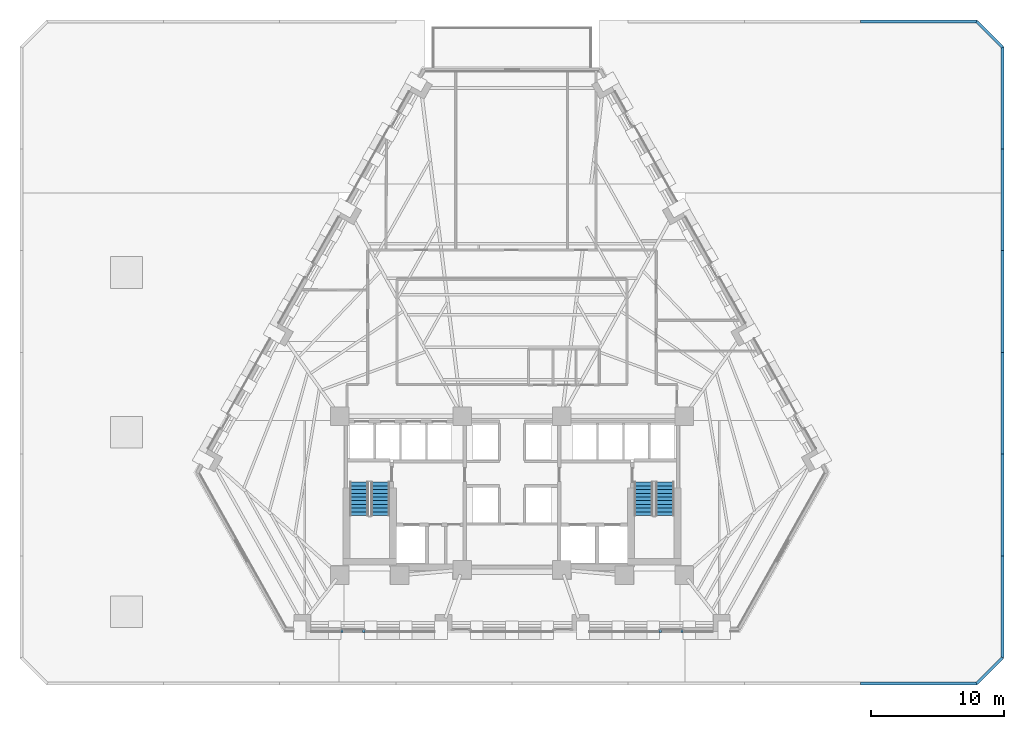
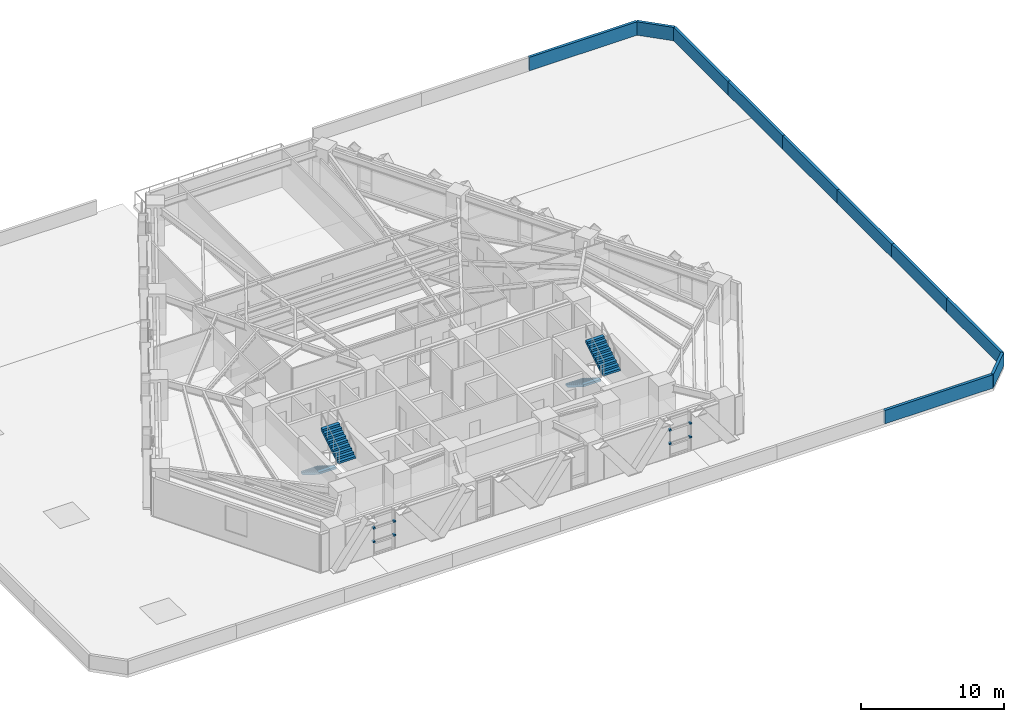
# One storey, part 11 of 14: 10 walls, 8 discrete accessories, 4 stair flights, 2 elements without a shape of their own.
"""IFC4 building model written with IfcOpenShell, lengths in metres."""

from ifc_helpers import new_model, si_unit, direction, frame, frame_2d, origin, origin_2d, place, context, subcontext, project, spatial, polyline, rectangle, outline, extrude, material, layer, layer_set, type_object, element, aggregate, save


model = new_model("IFC4")

# Units and contexts
model_context = context("Model", 3, precision=1e-05, world=origin(), true_north=direction((0.0, 1.0)))
body_context = subcontext(model_context, "Body", "Model", "MODEL_VIEW")
ifc_project = project(units=[si_unit("LENGTHUNIT", "METRE"), si_unit("AREAUNIT", "SQUARE_METRE"), si_unit("VOLUMEUNIT", "CUBIC_METRE"), si_unit("PLANEANGLEUNIT", "RADIAN"), si_unit("MASSUNIT", "GRAM", prefix="KILO")], contexts=[model_context])

# Site, building, storey
site_placement = place(None, origin())
site = spatial("IfcSite", under=ifc_project, at=site_placement, CompositionType="ELEMENT")
building_placement = place(site_placement, origin())
building = spatial("IfcBuilding", under=site, at=building_placement, Name="Quenlor Broadcast Tower", CompositionType="ELEMENT")
storey_placement = place(building_placement, frame((0.0, 0.0, 27.60009765625)))
storey = spatial("IfcBuildingStorey", under=building, at=storey_placement, Name="L06", CompositionType="ELEMENT", Elevation=27.60009765625)

# Walls
ifc_material_1 = material(Name="Precast concrete C40/50", Category="concrete")
ifc_layer_1 = layer(ifc_material_1, 0.219970703125)
ifc_layer_set_1 = layer_set([ifc_layer_1], Name="Podium Roof Precast Concrete C40/50 Parapet Wall 220")
wall_type = type_object("IfcWallType", Name="Podium Roof Precast Concrete C40/50 Parapet Wall 220", PredefinedType="PARAPET", material=ifc_layer_set_1)
wall_1_placement = place(storey_placement, frame((26.2158203125, 24.889892578125, 0.0), z_axis=(0.0, 0.0, 1.0), x_axis=(1.0, 0.0, 0.0)))
element("IfcWall", 1, at=wall_1_placement, inside=storey, type_object=wall_type, Name="L06 Roof Parapet 14", PredefinedType="PARAPET", context=body_context, shape_type="SweptSolid", body=[
    extrude(rectangle(XDim=8.738525390625, YDim=0.219970703125, at=frame_2d((4.369140625, 0.0))), origin(), (0.0, 0.0, 1.0), 1.14990234375),
])
wall_2_placement = place(storey_placement, frame((34.954345703125, 24.889892578125, 0.0), z_axis=(0.0, 0.0, 1.0), x_axis=(0.707106781187, -0.707106781187, 0.0)))
element("IfcWall", 2, at=wall_2_placement, inside=storey, type_object=wall_type, Name="L06 Roof Parapet 15", PredefinedType="PARAPET", context=body_context, shape_type="SweptSolid", body=[
    extrude(rectangle(XDim=2.7373046875, YDim=0.219970703125, at=frame_2d((1.36865234375, 0.0))), origin(), (0.0, 0.0, 1.0), 1.14990234375),
])
for number, where, z_axis, x_axis, name in (
    (3, (36.889892578125, 22.954345703125, 0.0), (0.0, 0.0, 1.0), (0.0, -1.0, 0.0), "L06 Roof Parapet 16"),
    (4, (36.889892578125, 15.302978515625, 0.0), (0.0, 0.0, 1.0), (0.0, -1.0, 0.0), "L06 Roof Parapet 17"),
):
    element("IfcWall", number, at=place(storey_placement, frame(where, z_axis=z_axis, x_axis=x_axis)), inside=storey, type_object=wall_type, Name=name, PredefinedType="PARAPET", context=body_context, shape_type="SweptSolid", body=[
        extrude(rectangle(XDim=7.6513671875, YDim=0.219970703125, at=frame_2d((3.82568359375, 0.0))), origin(), (0.0, 0.0, 1.0), 1.14990234375),
    ])
for number, where, z_axis, x_axis, name in (
    (5, (36.889892578125, 7.651611328125, 0.0), (0.0, 0.0, 1.0), (0.0, -1.0, 0.0), "L06 Roof Parapet 18"),
    (6, (36.889892578125, 0.0, 0.0), (0.0, 0.0, 1.0), (0.0, -1.0, 0.0), "L06 Roof Parapet 19"),
):
    element("IfcWall", number, at=place(storey_placement, frame(where, z_axis=z_axis, x_axis=x_axis)), inside=storey, type_object=wall_type, Name=name, PredefinedType="PARAPET", context=body_context, shape_type="SweptSolid", body=[
        extrude(rectangle(XDim=7.651611328125, YDim=0.219970703125, at=frame_2d((3.82568359375, 0.0))), origin(), (0.0, 0.0, 1.0), 1.14990234375),
    ])
for number, where, z_axis, x_axis, name in (
    (7, (36.889892578125, -7.651611328125, 0.0), (0.0, 0.0, 1.0), (0.0, -1.0, 0.0), "L06 Roof Parapet 20"),
    (8, (36.889892578125, -15.302978515625, 0.0), (0.0, 0.0, 1.0), (0.0, -1.0, 0.0), "L06 Roof Parapet 21"),
):
    element("IfcWall", number, at=place(storey_placement, frame(where, z_axis=z_axis, x_axis=x_axis)), inside=storey, type_object=wall_type, Name=name, PredefinedType="PARAPET", context=body_context, shape_type="SweptSolid", body=[
        extrude(rectangle(XDim=7.6513671875, YDim=0.219970703125, at=frame_2d((3.82568359375, 0.0))), origin(), (0.0, 0.0, 1.0), 1.14990234375),
    ])
wall_3_placement = place(storey_placement, frame((36.889892578125, -22.954345703125, 0.0), z_axis=(0.0, 0.0, 1.0), x_axis=(-0.707106781187, -0.707106781187, 0.0)))
element("IfcWall", 9, at=wall_3_placement, inside=storey, type_object=wall_type, Name="L06 Roof Parapet 22", PredefinedType="PARAPET", context=body_context, shape_type="SweptSolid", body=[
    extrude(rectangle(XDim=2.7373046875, YDim=0.219970703125, at=frame_2d((1.36865234375, 0.0))), origin(), (0.0, 0.0, 1.0), 1.14990234375),
])
wall_4_placement = place(storey_placement, frame((34.954345703125, -24.889892578125, 0.0), z_axis=(0.0, 0.0, 1.0), x_axis=(-1.0, 0.0, 0.0)))
element("IfcWall", 10, at=wall_4_placement, inside=storey, type_object=wall_type, Name="L06 Roof Parapet 23", PredefinedType="PARAPET", context=body_context, shape_type="SweptSolid", body=[
    extrude(rectangle(XDim=8.738525390625, YDim=0.219970703125, at=frame_2d((4.369140625, 0.0))), origin(), (0.0, 0.0, 1.0), 1.14990234375),
])

# Stair, stair flights
ifc_material_2 = material(Name="Precast concrete C40/50", Category="concrete")
stair_type = type_object("IfcStairType", Name="Precast Concrete C40/50 Dogleg Stair H350", PredefinedType="HALF_TURN_STAIR", material=ifc_material_2)
stair_1_placement = place(storey_placement, origin())
stair_1 = element("IfcStair", 11, at=stair_1_placement, inside=storey, type_object=stair_type, Name="L06 West Core Fire-Isolated Exit Stair ST-1", PredefinedType="HALF_TURN_STAIR")
ifc_material_3 = material(Name="Precast concrete C40/50", Category="concrete")
ifc_layer_2 = layer(ifc_material_3, 0.159912109375)
ifc_layer_set_2 = layer_set([ifc_layer_2], Name="Precast Concrete C40/50 Stair Flight H350")
stair_flight_type = type_object("IfcStairFlightType", Name="Precast Concrete C40/50 Stair Flight H350", PredefinedType="STRAIGHT", material=ifc_layer_set_2)
stair_flight_1_placement = place(storey_placement, frame((-11.5, -9.75, 0.0), z_axis=(0.0, 0.0, 1.0), x_axis=(0.0, -1.0, 0.0)))
stair_flight_1 = element("IfcStairFlight", 12, at=stair_flight_1_placement, type_object=stair_flight_type, Name="ST-1 flight 1", NumberOfRisers=10, NumberOfTreads=9, PredefinedType="STRAIGHT", RiserHeight=0.175, TreadLength=0.28, context=body_context, shape_type="SweptSolid", body=[
    extrude(outline(polyline([(0.0, 0.0), (0.0, 0.175048828125), (0.280029296875, 0.175048828125), (0.280029296875, 0.35009765625), (0.56005859375, 0.35009765625), (0.56005859375, 0.52490234375), (0.840087890625, 0.52490234375), (0.840087890625, 0.699951171875), (1.1201171875, 0.699951171875), (1.1201171875, 0.875), (1.39990234375, 0.875), (1.39990234375, 1.050048828125), (1.679931640625, 1.050048828125), (1.679931640625, 1.22509765625), (1.9599609375, 1.22509765625), (1.9599609375, 1.39990234375), (2.239990234375, 1.39990234375), (2.239990234375, 1.574951171875), (2.52001953125, 1.574951171875), (2.52001953125, 1.75), (2.52001953125, 1.398193359375), (0.28271484375, 0.0), (0.0, 0.0)])), frame((0.0, 0.699951171875, 0.0), z_axis=(0.0, -1.0, 0.0), x_axis=(1.0, 0.0, 0.0)), (0.0, 0.0, 1.0), 1.39990234375),
])
stair_flight_2_placement = place(storey_placement, frame((-9.89990234375, -12.27001953125, 1.75), z_axis=(0.0, 0.0, 1.0), x_axis=(0.0, 1.0, 0.0)))
stair_flight_2 = element("IfcStairFlight", 13, at=stair_flight_2_placement, type_object=stair_flight_type, Name="ST-1 flight 2", NumberOfRisers=10, NumberOfTreads=9, PredefinedType="STRAIGHT", RiserHeight=0.175, TreadLength=0.28, context=body_context, shape_type="SweptSolid", body=[
    extrude(outline(polyline([(0.0, 0.0), (0.0, 0.175048828125), (0.280029296875, 0.175048828125), (0.280029296875, 0.35009765625), (0.56005859375, 0.35009765625), (0.56005859375, 0.52490234375), (0.840087890625, 0.52490234375), (0.840087890625, 0.699951171875), (1.1201171875, 0.699951171875), (1.1201171875, 0.875), (1.39990234375, 0.875), (1.39990234375, 1.050048828125), (1.679931640625, 1.050048828125), (1.679931640625, 1.22509765625), (1.9599609375, 1.22509765625), (1.9599609375, 1.39990234375), (2.239990234375, 1.39990234375), (2.239990234375, 1.574951171875), (2.52001953125, 1.574951171875), (2.52001953125, 1.75), (2.52001953125, 1.398193359375), (0.28271484375, 0.0), (0.0, 0.0)])), frame((0.0, 0.699951171875, 0.0), z_axis=(0.0, -1.0, 0.0), x_axis=(1.0, 0.0, 0.0)), (0.0, 0.0, 1.0), 1.39990234375),
])
aggregate(stair_1, [stair_flight_1, stair_flight_2])

stair_2_placement = place(storey_placement, origin())
stair_2 = element("IfcStair", 14, at=stair_2_placement, inside=storey, type_object=stair_type, Name="L06 East Core Fire-Isolated Exit Stair ST-2", PredefinedType="HALF_TURN_STAIR")
stair_flight_3_placement = place(storey_placement, frame((9.89990234375, -9.75, 0.0), z_axis=(0.0, 0.0, 1.0), x_axis=(0.0, -1.0, 0.0)))
stair_flight_3 = element("IfcStairFlight", 15, at=stair_flight_3_placement, type_object=stair_flight_type, Name="ST-2 flight 1", NumberOfRisers=10, NumberOfTreads=9, PredefinedType="STRAIGHT", RiserHeight=0.175, TreadLength=0.28, context=body_context, shape_type="SweptSolid", body=[
    extrude(outline(polyline([(0.0, 0.0), (0.0, 0.175048828125), (0.280029296875, 0.175048828125), (0.280029296875, 0.35009765625), (0.56005859375, 0.35009765625), (0.56005859375, 0.52490234375), (0.840087890625, 0.52490234375), (0.840087890625, 0.699951171875), (1.1201171875, 0.699951171875), (1.1201171875, 0.875), (1.39990234375, 0.875), (1.39990234375, 1.050048828125), (1.679931640625, 1.050048828125), (1.679931640625, 1.22509765625), (1.9599609375, 1.22509765625), (1.9599609375, 1.39990234375), (2.239990234375, 1.39990234375), (2.239990234375, 1.574951171875), (2.52001953125, 1.574951171875), (2.52001953125, 1.75), (2.52001953125, 1.398193359375), (0.28271484375, 0.0), (0.0, 0.0)])), frame((0.0, 0.699951171875, 0.0), z_axis=(0.0, -1.0, 0.0), x_axis=(1.0, 0.0, 0.0)), (0.0, 0.0, 1.0), 1.39990234375),
])
stair_flight_4_placement = place(storey_placement, frame((11.5, -12.27001953125, 1.75), z_axis=(0.0, 0.0, 1.0), x_axis=(0.0, 1.0, 0.0)))
stair_flight_4 = element("IfcStairFlight", 16, at=stair_flight_4_placement, type_object=stair_flight_type, Name="ST-2 flight 2", NumberOfRisers=10, NumberOfTreads=9, PredefinedType="STRAIGHT", RiserHeight=0.175, TreadLength=0.28, context=body_context, shape_type="SweptSolid", body=[
    extrude(outline(polyline([(0.0, 0.0), (0.0, 0.175048828125), (0.280029296875, 0.175048828125), (0.280029296875, 0.35009765625), (0.56005859375, 0.35009765625), (0.56005859375, 0.52490234375), (0.840087890625, 0.52490234375), (0.840087890625, 0.699951171875), (1.1201171875, 0.699951171875), (1.1201171875, 0.875), (1.39990234375, 0.875), (1.39990234375, 1.050048828125), (1.679931640625, 1.050048828125), (1.679931640625, 1.22509765625), (1.9599609375, 1.22509765625), (1.9599609375, 1.39990234375), (2.239990234375, 1.39990234375), (2.239990234375, 1.574951171875), (2.52001953125, 1.574951171875), (2.52001953125, 1.75), (2.52001953125, 1.398193359375), (0.28271484375, 0.0), (0.0, 0.0)])), frame((0.0, 0.699951171875, 0.0), z_axis=(0.0, -1.0, 0.0), x_axis=(1.0, 0.0, 0.0)), (0.0, 0.0, 1.0), 1.39990234375),
])
aggregate(stair_2, [stair_flight_3, stair_flight_4])

# Discrete accessories
ifc_material_4 = material(Name="Aluminium 6063-T6", Category="aluminium")
discrete_accessory_type = type_object("IfcDiscreteAccessoryType", Name="Stainless Mullion Baguette Support Bracket", PredefinedType="BRACKET", material=ifc_material_4)
for number, where, z_axis, x_axis, name in (
    (17, (12.794921875, -20.949951171875, 1.10009765625), (0.0, 0.0, 1.0), (-1.0, 0.0, 0.0), "L06 Baguette Mullion Bracket 1.1"),
    (18, (11.146484375, -20.949951171875, 1.10009765625), (0.0, 0.0, 1.0), (-1.0, 0.0, 0.0), "L06 Baguette Mullion Bracket 1.2"),
    (19, (12.794921875, -20.949951171875, 2.27001953125), (0.0, 0.0, 1.0), (-1.0, 0.0, 0.0), "L06 Baguette Mullion Bracket 2.1"),
    (20, (11.146484375, -20.949951171875, 2.27001953125), (0.0, 0.0, 1.0), (-1.0, 0.0, 0.0), "L06 Baguette Mullion Bracket 2.2"),
    (21, (-11.146484375, -20.949951171875, 1.10009765625), (0.0, 0.0, 1.0), (-1.0, 0.0, 0.0), "L06 Baguette Mullion Bracket 1.1"),
    (22, (-12.794921875, -20.949951171875, 1.10009765625), (0.0, 0.0, 1.0), (-1.0, 0.0, 0.0), "L06 Baguette Mullion Bracket 1.2"),
    (23, (-11.146484375, -20.949951171875, 2.27001953125), (0.0, 0.0, 1.0), (-1.0, 0.0, 0.0), "L06 Baguette Mullion Bracket 2.1"),
    (24, (-12.794921875, -20.949951171875, 2.27001953125), (0.0, 0.0, 1.0), (-1.0, 0.0, 0.0), "L06 Baguette Mullion Bracket 2.2"),
):
    element("IfcDiscreteAccessory", number, at=place(storey_placement, frame(where, z_axis=z_axis, x_axis=x_axis)), inside=storey, type_object=discrete_accessory_type, Name=name, PredefinedType="BRACKET", context=body_context, shape_type="SweptSolid", body=[
        extrude(rectangle(XDim=0.159912109375, YDim=0.239990234375, at=origin_2d()), origin(), (0.0, 0.0, 1.0), 0.139892578125),
    ])

save(model, "model.ifc")
